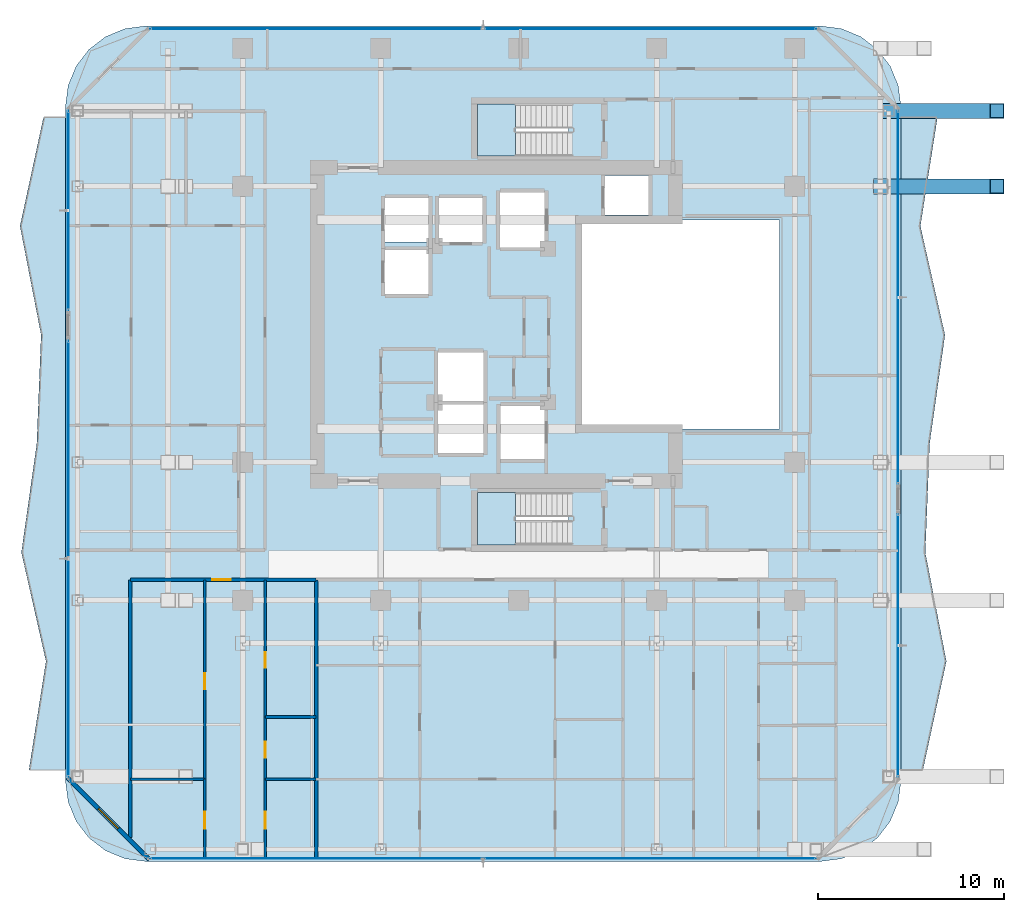
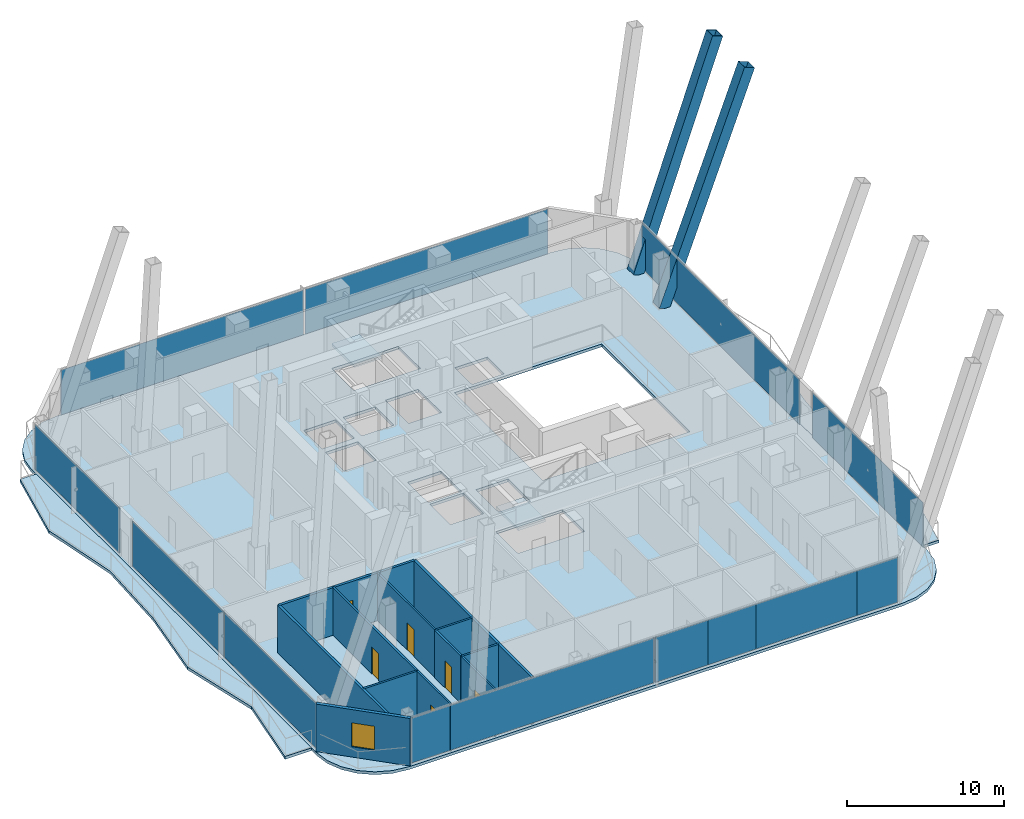
# One storey, part 19 of 27: 13 plates, 12 walls, 6 doors, 5 slabs, 2 members, 1 window, 7 openings, 8 elements without a shape of their own.
"""IFC4 building model written with IfcOpenShell, lengths in metres."""

from ifc_helpers import new_model, si_unit, direction, frame, frame_2d, origin, origin_2d, place, context, subcontext, project, spatial, polyline, rectangle, hollow_rectangle, outline, extrude, material, layer, layer_set, material_profile, profile_set, type_object, element, fill, aggregate, save


model = new_model("IFC4")

# Units and contexts
model_context = context("Model", 3, precision=1e-05, world=origin(), true_north=direction((0.0, 1.0)))
body_context = subcontext(model_context, "Body", "Model", "MODEL_VIEW")
ifc_project = project(units=[si_unit("LENGTHUNIT", "METRE"), si_unit("AREAUNIT", "SQUARE_METRE"), si_unit("VOLUMEUNIT", "CUBIC_METRE"), si_unit("PLANEANGLEUNIT", "RADIAN"), si_unit("MASSUNIT", "GRAM", prefix="KILO")], contexts=[model_context])

# Site, building, storey
site_placement = place(None, origin())
site = spatial("IfcSite", under=ifc_project, at=site_placement, CompositionType="ELEMENT")
building_placement = place(site_placement, origin())
building = spatial("IfcBuilding", under=site, at=building_placement, Name="Khorvyn Point Tower", CompositionType="ELEMENT")
storey_placement = place(building_placement, frame((0.0, 0.0, 203.10009765625)))
storey = spatial("IfcBuildingStorey", under=building, at=storey_placement, Name="L50", CompositionType="ELEMENT", Elevation=203.10009765625)

# Members
ifc_material_1 = material(Name="Steel S450", Category="steel")
ifc_material_profile = material_profile(ifc_material_1, hollow_rectangle(XDim=0.800048828125, YDim=0.800048828125, WallThickness=0.035888671875, at=origin_2d()))
ifc_profile_set = profile_set([ifc_material_profile], Name="Steel S450 BOX800x800x36")
member_type = type_object("IfcMemberType", Name="Steel S450 Exoskeleton Structural Post BOX800x800x36", PredefinedType="POST", material=ifc_profile_set)
member_1_placement = place(storey_placement, frame((19.85009765625, 11.449951171875, 0.0), z_axis=(0.331613602949, 0.0, 0.943415294735), x_axis=(0.0, 1.0, 0.0)))
element("IfcMember", 1, at=member_1_placement, inside=storey, type_object=member_type, Name="L50 to L54 Exoskeleton Transfer Post 07", PredefinedType="POST", context=body_context, shape_type="SweptSolid", body=[
    extrude(hollow_rectangle(XDim=0.800048828125, YDim=0.800048828125, WallThickness=0.035888671875, at=origin_2d()), origin(), (0.0, 0.0, 1.0), 17.48974609375),
])
member_2_placement = place(storey_placement, frame((19.39990234375, 7.39990234375, 0.0), z_axis=(0.35422706261, 0.0, 0.93515944529), x_axis=(0.0, 1.0, 0.0)))
element("IfcMember", 2, at=member_2_placement, inside=storey, type_object=member_type, Name="L50 to L54 Exoskeleton Transfer Post 14", PredefinedType="POST", context=body_context, shape_type="SweptSolid", body=[
    extrude(hollow_rectangle(XDim=0.800048828125, YDim=0.800048828125, WallThickness=0.035888671875, at=origin_2d()), origin(), (0.0, 0.0, 1.0), 17.64404296875),
])

# Slabs
ifc_material_2 = material(Name="Concrete C35/45", Category="concrete")
ifc_layer_1 = layer(ifc_material_2, 0.219970703125)
ifc_layer_set_1 = layer_set([ifc_layer_1], Name="Concrete C35/45 Structural Floor Slab 220")
slab_type_1 = type_object("IfcSlabType", Name="Concrete C35/45 Structural Floor Slab 220", PredefinedType="FLOOR", material=ifc_layer_set_1)
slab_1_placement = place(storey_placement, frame((0.0, 0.0, -0.22021484375)))
element("IfcSlab", 3, at=slab_1_placement, inside=storey, type_object=slab_type_1, Name="L50 Main Structural Floor Slab", PredefinedType="FLOOR", context=body_context, shape_type="SweptSolid", body=[
    extrude(outline(polyline([(-20.0, -28.800048828125), (-21.11279296875, -28.653564453125), (-22.14990234375, -28.223876953125), (-23.04052734375, -27.54052734375), (-23.723876953125, -26.64990234375), (-24.153564453125, -25.61279296875), (-24.300048828125, -24.5), (-24.300048828125, 11.699951171875), (-24.153564453125, 12.81298828125), (-23.723876953125, 13.85009765625), (-23.04052734375, 14.740478515625), (-22.14990234375, 15.423828125), (-21.11279296875, 15.853515625), (-20.0, 16.0), (16.199951171875, 16.0), (17.31298828125, 15.853515625), (18.35009765625, 15.423828125), (19.240478515625, 14.740478515625), (19.923828125, 13.85009765625), (20.353515625, 12.81298828125), (20.5, 11.699951171875), (20.5, -24.5), (20.353515625, -25.61279296875), (19.923828125, -26.64990234375), (19.240478515625, -27.54052734375), (18.35009765625, -28.223876953125), (17.31298828125, -28.653564453125), (16.199951171875, -28.800048828125), (-20.0, -28.800048828125)]), holes=[polyline([(-1.875, -6.89990234375), (-1.875, -4.300048828125), (-4.324951171875, -4.300048828125), (-4.324951171875, -6.89990234375), (-1.875, -6.89990234375)]), polyline([(-1.875, -4.10009765625), (-1.875, -1.5), (-4.324951171875, -1.5), (-4.324951171875, -4.10009765625), (-1.875, -4.10009765625)]), polyline([(-4.824951171875, 1.625), (-4.824951171875, 3.97509765625), (-7.175048828125, 3.97509765625), (-7.175048828125, 1.625), (-4.824951171875, 1.625)]), polyline([(-7.175048828125, 4.425048828125), (-4.824951171875, 4.425048828125), (-4.824951171875, 6.77490234375), (-7.175048828125, 6.77490234375), (-7.175048828125, 4.425048828125)]), polyline([(-4.27490234375, 4.425048828125), (-1.925048828125, 4.425048828125), (-1.925048828125, 6.77490234375), (-4.27490234375, 6.77490234375), (-4.27490234375, 4.425048828125)]), polyline([(1.39990234375, 4.125), (1.39990234375, 7.074951171875), (-1.0, 7.074951171875), (-1.0, 4.125), (1.39990234375, 4.125)]), polyline([(-2.199951171875, -11.820068359375), (2.679931640625, -11.820068359375), (2.679931640625, -9.02001953125), (-2.199951171875, -9.02001953125), (-2.199951171875, -11.820068359375)]), polyline([(-0.97509765625, -7.22509765625), (1.375, -7.22509765625), (1.375, -4.375), (-0.97509765625, -4.375), (-0.97509765625, -7.22509765625)]), polyline([(14.0, -5.60009765625), (14.0, 5.60009765625), (3.199951171875, 5.60009765625), (3.199951171875, -5.60009765625), (14.0, -5.60009765625)]), polyline([(4.625, 5.85009765625), (6.97509765625, 5.85009765625), (6.97509765625, 7.97998046875), (4.625, 7.97998046875), (4.625, 5.85009765625)]), polyline([(-2.199951171875, 9.02001953125), (2.679931640625, 9.02001953125), (2.679931640625, 11.820068359375), (-2.199951171875, 11.820068359375), (-2.199951171875, 9.02001953125)])]), origin(), (0.0, 0.0, 1.0), 0.22021484375),
])
ifc_material_3 = material(Name="Concrete C40/50", Category="concrete")
ifc_layer_2 = layer(ifc_material_3, 0.2099609375)
ifc_layer_set_2 = layer_set([ifc_layer_2], Name="Concrete C40/50 Rippling Balcony Slab 210")
slab_type_2 = type_object("IfcSlabType", Name="Concrete C40/50 Rippling Balcony Slab 210", PredefinedType="USERDEFINED", material=ifc_layer_set_2)
slab_2_placement = place(storey_placement, frame((0.0, 0.0, -0.210205078125)))
element("IfcSlab", 4, at=slab_2_placement, inside=storey, type_object=slab_type_2, Name="L50 East Sinusoidal Rippling Balcony", ObjectType="BALCONY", PredefinedType="USERDEFINED", context=body_context, shape_type="SweptSolid", body=[
    extrude(outline(polyline([(20.5, -23.89990234375), (21.6787109375, -23.89990234375), (22.9375, -18.066650390625), (21.806884765625, -12.2333984375), (22.0390625, -6.39990234375), (22.863525390625, -0.566650390625), (21.544189453125, 5.2666015625), (22.45947265625, 11.10009765625), (20.5, 11.10009765625), (20.5, -23.89990234375)])), origin(), (0.0, 0.0, 1.0), 0.210205078125),
])
slab_3_placement = place(storey_placement, frame((0.0, 0.0, -0.210205078125)))
element("IfcSlab", 5, at=slab_3_placement, inside=storey, type_object=slab_type_2, Name="L50 West Sinusoidal Rippling Balcony", ObjectType="BALCONY", PredefinedType="USERDEFINED", context=body_context, shape_type="SweptSolid", body=[
    extrude(outline(polyline([(-24.300048828125, 11.10009765625), (-25.478759765625, 11.10009765625), (-26.737548828125, 5.2666015625), (-25.60693359375, -0.566650390625), (-25.839111328125, -6.39990234375), (-26.66357421875, -12.2333984375), (-25.343994140625, -18.066650390625), (-26.259521484375, -23.89990234375), (-24.300048828125, -23.89990234375), (-24.300048828125, 11.10009765625)])), origin(), (0.0, 0.0, 1.0), 0.210205078125),
])

# Stair, slab
stair_type = type_object("IfcStairType", Name="Tower Concrete C40/50 Dogleg Exit Stair", PredefinedType="HALF_TURN_STAIR", material=ifc_material_3)
stair_1_placement = place(storey_placement, origin())
stair_1 = element("IfcStair", 6, at=stair_1_placement, inside=storey, type_object=stair_type, Name="L50 Tower Smokeproof Exit Stair South", PredefinedType="HALF_TURN_STAIR")
ifc_layer_3 = layer(ifc_material_3, 0.199951171875)
ifc_layer_set_3 = layer_set([ifc_layer_3], Name="Concrete C40/50 Stair Landing Slab 200")
slab_type_3 = type_object("IfcSlabType", Name="Concrete C40/50 Stair Landing Slab 200", PredefinedType="LANDING", material=ifc_layer_set_3)
slab_4_placement = place(storey_placement, frame((0.0, 0.0, 1.75)))
slab_4 = element("IfcSlab", 7, at=slab_4_placement, type_object=slab_type_3, Name="ST-01 landing 1", PredefinedType="LANDING", context=body_context, shape_type="SweptSolid", body=[
    extrude(outline(polyline([(-0.179931640625, -9.02001953125), (-2.199951171875, -9.02001953125), (-2.199951171875, -11.820068359375), (-0.179931640625, -11.820068359375), (-0.179931640625, -9.02001953125)])), origin(), (0.0, 0.0, 1.0), 0.199951171875),
])
aggregate(stair_1, [slab_4])

stair_2_placement = place(storey_placement, origin())
stair_2 = element("IfcStair", 8, at=stair_2_placement, inside=storey, type_object=stair_type, Name="L50 Tower Smokeproof Exit Stair North", PredefinedType="HALF_TURN_STAIR")
slab_5_placement = place(storey_placement, frame((0.0, 0.0, 1.75)))
slab_5 = element("IfcSlab", 9, at=slab_5_placement, type_object=slab_type_3, Name="ST-02 landing 1", PredefinedType="LANDING", context=body_context, shape_type="SweptSolid", body=[
    extrude(outline(polyline([(-0.179931640625, 11.820068359375), (-2.199951171875, 11.820068359375), (-2.199951171875, 9.02001953125), (-0.179931640625, 9.02001953125), (-0.179931640625, 11.820068359375)])), origin(), (0.0, 0.0, 1.0), 0.199951171875),
])
aggregate(stair_2, [slab_5])

# Curtain wall, plates
ifc_material_4 = material(Name="Anodised aluminium 6063-T6 and laminated Low-E glass", Category="aluminium")
ifc_layer_4 = layer(ifc_material_4, 0.18994140625)
ifc_layer_set_4 = layer_set([ifc_layer_4], Name="Stick-Built Acoustic Curtain Wall CW-SYS-03")
curtain_wall_type = type_object("IfcCurtainWallType", Name="Stick-Built Acoustic Curtain Wall CW-SYS-03", PredefinedType="NOTDEFINED", material=ifc_layer_set_4)
curtain_wall_1_placement = place(storey_placement, origin())
curtain_wall_1 = element("IfcCurtainWall", 10, at=curtain_wall_1_placement, inside=storey, type_object=curtain_wall_type, Name="Curtain Wall", PredefinedType="NOTDEFINED")
ifc_material_5 = material(Name="Laminated Low-E insulated glass", Category="glass")
ifc_layer_5 = layer(ifc_material_5, 0.028076171875)
ifc_layer_set_5 = layer_set([ifc_layer_5], Name="Tempered Low-E Vision Glazing Panel CW-GL28")
plate_type = type_object("IfcPlateType", Name="Tempered Low-E Vision Glazing Panel CW-GL28", PredefinedType="CURTAIN_PANEL", material=ifc_layer_set_5)
plate_1_placement = place(storey_placement, frame((0.08251953125, -28.64990234375, 0.099853515625), z_axis=(0.0, 0.0, 1.0), x_axis=(-1.0, 0.0, 0.0)))
plate_1 = element("IfcPlate", 11, at=plate_1_placement, type_object=plate_type, Name="Panel", PredefinedType="CURTAIN_PANEL", context=body_context, shape_type="SweptSolid", body=[
    extrude(rectangle(XDim=3.85693359375, YDim=0.028076171875, at=origin_2d()), origin(), (0.0, 0.0, 1.0), 3.47998046875),
])
plate_2_placement = place(storey_placement, frame((3.777099609375, -28.64990234375, 0.099853515625), z_axis=(0.0, 0.0, 1.0), x_axis=(-1.0, 0.0, 0.0)))
plate_2 = element("IfcPlate", 12, at=plate_2_placement, type_object=plate_type, Name="Panel", PredefinedType="CURTAIN_PANEL", context=body_context, shape_type="SweptSolid", body=[
    extrude(rectangle(XDim=3.51611328125, YDim=0.028076171875, at=origin_2d()), origin(), (0.0, 0.0, 1.0), 3.47998046875),
])
plate_3_placement = place(storey_placement, frame((9.232421875, -28.64990234375, 0.099853515625), z_axis=(0.0, 0.0, 1.0), x_axis=(-1.0, 0.0, 0.0)))
plate_3 = element("IfcPlate", 13, at=plate_3_placement, type_object=plate_type, Name="Panel", PredefinedType="CURTAIN_PANEL", context=body_context, shape_type="SweptSolid", body=[
    extrude(rectangle(XDim=7.37890625, YDim=0.028076171875, at=origin_2d()), origin(), (0.0, 0.0, 1.0), 3.47998046875),
])
plate_4_placement = place(storey_placement, frame((14.43798828125, -28.64990234375, 0.099853515625), z_axis=(0.0, 0.0, 1.0), x_axis=(-1.0, 0.0, 0.0)))
plate_4 = element("IfcPlate", 14, at=plate_4_placement, type_object=plate_type, Name="Panel", PredefinedType="CURTAIN_PANEL", context=body_context, shape_type="SweptSolid", body=[
    extrude(rectangle(XDim=3.01611328125, YDim=0.028076171875, at=origin_2d()), origin(), (0.0, 0.0, 1.0), 3.47998046875),
])
plate_5_placement = place(storey_placement, frame((-18.322021484375, -28.64990234375, 0.099853515625), z_axis=(0.0, 0.0, 1.0), x_axis=(-1.0, 0.0, 0.0)))
plate_5 = element("IfcPlate", 15, at=plate_5_placement, type_object=plate_type, Name="Panel", PredefinedType="CURTAIN_PANEL", context=body_context, shape_type="SweptSolid", body=[
    extrude(rectangle(XDim=2.847900390625, YDim=0.028076171875, at=origin_2d()), origin(), (0.0, 0.0, 1.0), 3.47998046875),
])
plate_6_placement = place(storey_placement, frame((-9.422119140625, -28.64990234375, 0.099853515625), z_axis=(0.0, 0.0, 1.0), x_axis=(-1.0, 0.0, 0.0)))
plate_6 = element("IfcPlate", 16, at=plate_6_placement, type_object=plate_type, Name="Panel", PredefinedType="CURTAIN_PANEL", context=body_context, shape_type="SweptSolid", body=[
    extrude(rectangle(XDim=14.93603515625, YDim=0.028076171875, at=origin_2d()), origin(), (0.0, 0.0, 1.0), 3.47998046875),
])
aggregate(curtain_wall_1, [plate_1, plate_2, plate_3, plate_4, plate_5, plate_6])

curtain_wall_2_placement = place(storey_placement, origin())
curtain_wall_2 = element("IfcCurtainWall", 17, at=curtain_wall_2_placement, inside=storey, type_object=curtain_wall_type, Name="Curtain Wall", PredefinedType="NOTDEFINED")
plate_7_placement = place(storey_placement, frame((-10.85009765625, 15.85009765625, 0.099853515625), z_axis=(0.0, 0.0, 1.0), x_axis=(1.0, 0.0, 0.0)))
plate_7 = element("IfcPlate", 18, at=plate_7_placement, type_object=plate_type, Name="Panel", PredefinedType="CURTAIN_PANEL", context=body_context, shape_type="SweptSolid", body=[
    extrude(rectangle(XDim=17.800048828125, YDim=0.028076171875, at=origin_2d()), origin(), (0.0, 0.0, 1.0), 3.47998046875),
])
plate_8_placement = place(storey_placement, frame((7.050048828125, 15.85009765625, 0.099853515625), z_axis=(0.0, 0.0, 1.0), x_axis=(1.0, 0.0, 0.0)))
plate_8 = element("IfcPlate", 19, at=plate_8_placement, type_object=plate_type, Name="Panel", PredefinedType="CURTAIN_PANEL", context=body_context, shape_type="SweptSolid", body=[
    extrude(rectangle(XDim=17.800048828125, YDim=0.028076171875, at=origin_2d()), origin(), (0.0, 0.0, 1.0), 3.47998046875),
])
aggregate(curtain_wall_2, [plate_7, plate_8])

curtain_wall_3_placement = place(storey_placement, origin())
curtain_wall_3 = element("IfcCurtainWall", 20, at=curtain_wall_3_placement, inside=storey, type_object=curtain_wall_type, Name="Curtain Wall", PredefinedType="NOTDEFINED")
plate_9_placement = place(storey_placement, frame((-24.14990234375, -18.433349609375, 0.099853515625), z_axis=(0.0, 0.0, 1.0), x_axis=(0.0, 1.0, 0.0)))
plate_9 = element("IfcPlate", 21, at=plate_9_placement, type_object=plate_type, Name="Panel", PredefinedType="CURTAIN_PANEL", context=body_context, shape_type="SweptSolid", body=[
    extrude(rectangle(XDim=11.633544921875, YDim=0.028076171875, at=origin_2d()), origin(), (0.0, 0.0, 1.0), 3.47998046875),
])
plate_10_placement = place(storey_placement, frame((-24.14990234375, -6.69970703125, 0.099853515625), z_axis=(0.0, 0.0, 1.0), x_axis=(0.0, 1.0, 0.0)))
plate_10 = element("IfcPlate", 22, at=plate_10_placement, type_object=plate_type, Name="Panel", PredefinedType="CURTAIN_PANEL", context=body_context, shape_type="SweptSolid", body=[
    extrude(rectangle(XDim=11.633544921875, YDim=0.028076171875, at=origin_2d()), origin(), (0.0, 0.0, 1.0), 3.47998046875),
])
aggregate(curtain_wall_3, [plate_9, plate_10])

# Curtain wall, plate
curtain_wall_4_placement = place(storey_placement, origin())
curtain_wall_4 = element("IfcCurtainWall", 23, at=curtain_wall_4_placement, inside=storey, type_object=curtain_wall_type, Name="Curtain Wall", PredefinedType="NOTDEFINED")
plate_11_placement = place(storey_placement, frame((-24.14990234375, 6.103515625, 0.099853515625), z_axis=(0.0, 0.0, 1.0), x_axis=(0.0, 1.0, 0.0)))
plate_11 = element("IfcPlate", 24, at=plate_11_placement, type_object=plate_type, Name="Panel", PredefinedType="CURTAIN_PANEL", context=body_context, shape_type="SweptSolid", body=[
    extrude(rectangle(XDim=10.693115234375, YDim=0.028076171875, at=origin_2d()), origin(), (0.0, 0.0, 1.0), 3.47998046875),
])
aggregate(curtain_wall_4, [plate_11])

curtain_wall_5_placement = place(storey_placement, origin())
curtain_wall_5 = element("IfcCurtainWall", 25, at=curtain_wall_5_placement, inside=storey, type_object=curtain_wall_type, Name="Curtain Wall", PredefinedType="NOTDEFINED")
plate_12_placement = place(storey_placement, frame((20.35009765625, 1.451416015625, 0.099853515625), z_axis=(0.0, 0.0, 1.0), x_axis=(0.0, -1.0, 0.0)))
plate_12 = element("IfcPlate", 26, at=plate_12_placement, type_object=plate_type, Name="Panel", PredefinedType="CURTAIN_PANEL", context=body_context, shape_type="SweptSolid", body=[
    extrude(rectangle(XDim=19.9970703125, YDim=0.028076171875, at=origin_2d()), origin(), (0.0, 0.0, 1.0), 3.47998046875),
])
aggregate(curtain_wall_5, [plate_12])

curtain_wall_6_placement = place(storey_placement, origin())
curtain_wall_6 = element("IfcCurtainWall", 27, at=curtain_wall_6_placement, inside=storey, type_object=curtain_wall_type, Name="Curtain Wall", PredefinedType="NOTDEFINED")
plate_13_placement = place(storey_placement, frame((20.35009765625, -17.218505859375, 0.099853515625), z_axis=(0.0, 0.0, 1.0), x_axis=(0.0, -1.0, 0.0)))
plate_13 = element("IfcPlate", 28, at=plate_13_placement, type_object=plate_type, Name="Panel", PredefinedType="CURTAIN_PANEL", context=body_context, shape_type="SweptSolid", body=[
    extrude(rectangle(XDim=14.06298828125, YDim=0.028076171875, at=origin_2d()), origin(), (0.0, 0.0, 1.0), 3.47998046875),
])
aggregate(curtain_wall_6, [plate_13])

# Wall, opening, door
ifc_material_6 = material(Name="Double acoustic gypsum on twin steel stud", Category="steel")
ifc_layer_6 = layer(ifc_material_6, 0.179931640625)
ifc_layer_set_6 = layer_set([ifc_layer_6], Name="Acoustic Double-Stud Apartment Demising Wall 180")
wall_type_1 = type_object("IfcWallType", Name="Acoustic Double-Stud Apartment Demising Wall 180", PredefinedType="PARTITIONING", material=ifc_layer_set_6)
wall_1_placement = place(storey_placement, frame((-20.820068359375, -13.699951171875, 0.0), z_axis=(0.0, 0.0, 1.0), x_axis=(1.0, 0.0, 0.0)))
wall_1 = element("IfcWall", 29, at=wall_1_placement, inside=storey, type_object=wall_type_1, Name="Wall", PredefinedType="PARTITIONING", context=body_context, shape_type="SweptSolid", body=[
    extrude(rectangle(XDim=9.965087890625, YDim=0.179931640625, at=frame_2d((4.982421875, 0.0))), origin(), (0.0, 0.0, 1.0), 3.679931640625),
])
opening_1_placement = place(wall_1_placement, frame((4.394287109375, 0.0, 0.0)))
opening_1 = element("IfcOpeningElement", 30, at=opening_1_placement, cuts=wall_1, Name="Opening ID-AP60", PredefinedType="OPENING", context=body_context, shape_type="SweptSolid", body=[
    extrude(rectangle(XDim=1.0, YDim=2.199951171875, at=frame_2d((0.5, 1.10009765625))), frame((0.0, 0.099853515625, 0.0), z_axis=(0.0, -1.0, 0.0), x_axis=(1.0, 0.0, 0.0)), (0.0, 0.0, 1.0), 0.199951171875),
])
ifc_material_7 = material(Name="Engineered hardwood fire-rated leaf", Category="wood")
door_type_1 = type_object("IfcDoorType", Name="Acoustic Solid-Core Timber Apartment Entrance Door 1000x2200", OperationType="NOTDEFINED", PredefinedType="DOOR", material=ifc_material_7)
door_1_placement = place(opening_1_placement, origin())
door_1 = element("IfcDoor", 31, at=door_1_placement, inside=storey, type_object=door_type_1, Name="Door", OperationType="SINGLE_SWING_RIGHT", OverallHeight=2.199951171875, OverallWidth=1.0, PredefinedType="DOOR", context=body_context, shape_type="SweptSolid", body=[
    extrude(rectangle(XDim=1.0, YDim=2.199951171875, at=frame_2d((0.5, 1.10009765625))), frame((0.0, 0.02490234375, 0.0), z_axis=(0.0, -1.0, 0.0), x_axis=(1.0, 0.0, 0.0)), (0.0, 0.0, 1.0), 0.050048828125),
])
fill(opening_1, door_1)

# Walls
wall_2_placement = place(storey_placement, frame((-10.85498046875, -28.6298828125, 0.0), z_axis=(0.0, 0.0, 1.0), x_axis=(0.0, 1.0, 0.0)))
element("IfcWall", 32, at=wall_2_placement, inside=storey, type_object=wall_type_1, Name="Wall", PredefinedType="PARTITIONING", context=body_context, shape_type="SweptSolid", body=[
    extrude(rectangle(XDim=14.929931640625, YDim=0.179931640625, at=frame_2d((7.46484375, 0.0))), origin(), (0.0, 0.0, 1.0), 3.679931640625),
])
wall_3_placement = place(storey_placement, frame((-20.820068359375, -27.510009765625, 0.0), z_axis=(0.0, 0.0, 1.0), x_axis=(0.0, 1.0, 0.0)))
element("IfcWall", 33, at=wall_3_placement, inside=storey, type_object=wall_type_1, Name="Wall", PredefinedType="PARTITIONING", context=body_context, shape_type="SweptSolid", body=[
    extrude(rectangle(XDim=13.81005859375, YDim=0.179931640625, at=frame_2d((6.905029296875, 0.0))), origin(), (0.0, 0.0, 1.0), 3.679931640625),
])

# Wall, opening, window
ifc_material_8 = material(Name="Pale anodised aluminium rainscreen on steel stud", Category="steel")
ifc_layer_7 = layer(ifc_material_8, 0.239990234375)
ifc_layer_set_7 = layer_set([ifc_layer_7], Name="Anodised Aluminium Insulated Corner Spandrel Wall 240")
wall_type_2 = type_object("IfcWallType", Name="Anodised Aluminium Insulated Corner Spandrel Wall 240", PredefinedType="SOLIDWALL", material=ifc_layer_set_7)
wall_4_placement = place(storey_placement, frame((-19.8076171875, -28.6923828125, 0.0), z_axis=(0.0, 0.0, 1.0), x_axis=(-0.707106781187, 0.707106781187, 0.0)))
wall_4 = element("IfcWall", 34, at=wall_4_placement, inside=storey, type_object=wall_type_2, Name="L50 Rounded Corner Wall SW", PredefinedType="SOLIDWALL", context=body_context, shape_type="SweptSolid", body=[
    extrude(rectangle(XDim=6.200927734375, YDim=0.239990234375, at=frame_2d((3.1005859375, 0.0))), origin(), (0.0, 0.0, 1.0), 3.679931640625),
])
opening_2_placement = place(wall_4_placement, frame((2.3505859375, 0.0, 0.800048828125)))
opening_2 = element("IfcOpeningElement", 35, at=opening_2_placement, cuts=wall_4, Name="Opening WN-1518", PredefinedType="OPENING", context=body_context, shape_type="SweptSolid", body=[
    extrude(rectangle(XDim=1.5, YDim=1.85009765625, at=frame_2d((0.75, 0.925048828125))), frame((0.0, 0.1298828125, 0.0), z_axis=(0.0, -1.0, 0.0), x_axis=(1.0, 0.0, 0.0)), (0.0, 0.0, 1.0), 0.260009765625),
])
window_type = type_object("IfcWindowType", Name="Anodised Aluminium Rounded-Corner Panoramic Window 1500x1850", PartitioningType="SINGLE_PANEL", PredefinedType="WINDOW", material=ifc_material_4)
window_placement = place(opening_2_placement, origin())
window = element("IfcWindow", 36, at=window_placement, inside=storey, type_object=window_type, Name="L50 Corner Panoramic Window SW", OverallHeight=1.85009765625, OverallWidth=1.5, PartitioningType="SINGLE_PANEL", PredefinedType="WINDOW", context=body_context, shape_type="SweptSolid", body=[
    extrude(rectangle(XDim=1.5, YDim=1.85009765625, at=frame_2d((0.75, 0.925048828125))), frame((0.0, 0.030029296875, 0.0), z_axis=(0.0, -1.0, 0.0), x_axis=(1.0, 0.0, 0.0)), (0.0, 0.0, 1.0), 0.06005859375),
])
fill(opening_2, window)

# Wall, opening, door
ifc_material_9 = material(Name="Gypsum plasterboard on steel stud", Category="steel")
ifc_layer_8 = layer(ifc_material_9, 0.1201171875)
ifc_layer_set_8 = layer_set([ifc_layer_8], Name="Gypsum Acoustic Stud Room Partition Wall 120")
wall_type_3 = type_object("IfcWallType", Name="Gypsum Acoustic Stud Room Partition Wall 120", PredefinedType="PARTITIONING", material=ifc_layer_set_8)
wall_5_placement = place(storey_placement, frame((-16.833984375, -28.6298828125, 0.0), z_axis=(0.0, 0.0, 1.0), x_axis=(0.0, 1.0, 0.0)))
wall_5 = element("IfcWall", 37, at=wall_5_placement, inside=storey, type_object=wall_type_3, Name="Wall", PredefinedType="PARTITIONING", context=body_context, shape_type="SweptSolid", body=[
    extrude(rectangle(XDim=4.239990234375, YDim=0.1201171875, at=frame_2d((2.1201171875, 0.0))), origin(), (0.0, 0.0, 1.0), 3.679931640625),
])
opening_3_placement = place(wall_5_placement, frame((1.581298828125, 0.0, 0.0)))
opening_3 = element("IfcOpeningElement", 38, at=opening_3_placement, cuts=wall_5, Name="Opening ID-RM90", PredefinedType="OPENING", context=body_context, shape_type="SweptSolid", body=[
    extrude(rectangle(XDim=0.89990234375, YDim=2.10009765625, at=frame_2d((0.449951171875, 1.050048828125))), frame((0.0, 0.070068359375, 0.0), z_axis=(0.0, -1.0, 0.0), x_axis=(1.0, 0.0, 0.0)), (0.0, 0.0, 1.0), 0.14013671875),
])
ifc_material_10 = material(Name="Engineered oak veneer timber", Category="wood")
door_type_2 = type_object("IfcDoorType", Name="Flush Engineered Timber Room Door 900x2100", OperationType="NOTDEFINED", PredefinedType="DOOR", material=ifc_material_10)
door_2_placement = place(opening_3_placement, origin())
door_2 = element("IfcDoor", 39, at=door_2_placement, inside=storey, type_object=door_type_2, Name="Door", OperationType="SINGLE_SWING_RIGHT", OverallHeight=2.10009765625, OverallWidth=0.89990234375, PredefinedType="DOOR", context=body_context, shape_type="SweptSolid", body=[
    extrude(rectangle(XDim=0.89990234375, YDim=2.10009765625, at=frame_2d((0.449951171875, 1.050048828125))), frame((0.0, 0.02490234375, 0.0), z_axis=(0.0, -1.0, 0.0), x_axis=(1.0, 0.0, 0.0)), (0.0, 0.0, 1.0), 0.050048828125),
])
fill(opening_3, door_2)

wall_6_placement = place(storey_placement, frame((-13.583984375, -21.054931640625, 0.0), z_axis=(0.0, 0.0, 1.0), x_axis=(0.0, 1.0, 0.0)))
wall_6 = element("IfcWall", 40, at=wall_6_placement, inside=storey, type_object=wall_type_3, Name="Wall", PredefinedType="PARTITIONING", context=body_context, shape_type="SweptSolid", body=[
    extrude(rectangle(XDim=7.35498046875, YDim=0.1201171875, at=frame_2d((3.677490234375, 0.0))), origin(), (0.0, 0.0, 1.0), 3.679931640625),
])
opening_4_placement = place(wall_6_placement, frame((2.634033203125, 0.0, 0.0)))
opening_4 = element("IfcOpeningElement", 41, at=opening_4_placement, cuts=wall_6, Name="Opening ID-WC85", PredefinedType="OPENING", context=body_context, shape_type="SweptSolid", body=[
    extrude(rectangle(XDim=0.85009765625, YDim=2.10009765625, at=frame_2d((0.425048828125, 1.050048828125))), frame((0.0, 0.070068359375, 0.0), z_axis=(0.0, -1.0, 0.0), x_axis=(1.0, 0.0, 0.0)), (0.0, 0.0, 1.0), 0.14013671875),
])
ifc_material_11 = material(Name="High-pressure laminate on moisture-resistant core", Category="wood")
door_type_3 = type_object("IfcDoorType", Name="Moisture-Resistant Accessible Washroom Door 850x2100", OperationType="NOTDEFINED", PredefinedType="DOOR", material=ifc_material_11)
door_3_placement = place(opening_4_placement, origin())
door_3 = element("IfcDoor", 42, at=door_3_placement, inside=storey, type_object=door_type_3, Name="Door", OperationType="SINGLE_SWING_RIGHT", OverallHeight=2.10009765625, OverallWidth=0.85009765625, PredefinedType="DOOR", context=body_context, shape_type="SweptSolid", body=[
    extrude(rectangle(XDim=0.85009765625, YDim=2.10009765625, at=frame_2d((0.425048828125, 1.050048828125))), frame((0.0, 0.02490234375, 0.0), z_axis=(0.0, -1.0, 0.0), x_axis=(1.0, 0.0, 0.0)), (0.0, 0.0, 1.0), 0.050048828125),
])
fill(opening_4, door_3)

wall_7_placement = place(storey_placement, frame((-13.583984375, -28.6298828125, 0.0), z_axis=(0.0, 0.0, 1.0), x_axis=(0.0, 1.0, 0.0)))
wall_7 = element("IfcWall", 43, at=wall_7_placement, inside=storey, type_object=wall_type_3, Name="Wall", PredefinedType="PARTITIONING", context=body_context, shape_type="SweptSolid", body=[
    extrude(rectangle(XDim=4.239990234375, YDim=0.1201171875, at=frame_2d((2.1201171875, 0.0))), origin(), (0.0, 0.0, 1.0), 3.679931640625),
])
opening_5_placement = place(wall_7_placement, frame((1.581298828125, 0.0, 0.0)))
opening_5 = element("IfcOpeningElement", 44, at=opening_5_placement, cuts=wall_7, Name="Opening ID-RM90", PredefinedType="OPENING", context=body_context, shape_type="SweptSolid", body=[
    extrude(rectangle(XDim=0.89990234375, YDim=2.10009765625, at=frame_2d((0.449951171875, 1.050048828125))), frame((0.0, 0.070068359375, 0.0), z_axis=(0.0, -1.0, 0.0), x_axis=(1.0, 0.0, 0.0)), (0.0, 0.0, 1.0), 0.14013671875),
])
door_4_placement = place(opening_5_placement, origin())
door_4 = element("IfcDoor", 45, at=door_4_placement, inside=storey, type_object=door_type_2, Name="Door", OperationType="SINGLE_SWING_LEFT", OverallHeight=2.10009765625, OverallWidth=0.89990234375, PredefinedType="DOOR", context=body_context, shape_type="SweptSolid", body=[
    extrude(rectangle(XDim=0.89990234375, YDim=2.10009765625, at=frame_2d((0.449951171875, 1.050048828125))), frame((0.0, 0.02490234375, 0.0), z_axis=(0.0, -1.0, 0.0), x_axis=(1.0, 0.0, 0.0)), (0.0, 0.0, 1.0), 0.050048828125),
])
fill(opening_5, door_4)

ifc_material_12 = material(Name="Moisture-resistant gypsum and cement board", Category="gypsum")
ifc_layer_9 = layer(ifc_material_12, 0.14990234375)
ifc_layer_set_9 = layer_set([ifc_layer_9], Name="Moisture-Resistant Wet-Room Partition Wall 150")
wall_type_4 = type_object("IfcWallType", Name="Moisture-Resistant Wet-Room Partition Wall 150", PredefinedType="PARTITIONING", material=ifc_layer_set_9)
wall_8_placement = place(storey_placement, frame((-16.833984375, -24.389892578125, 0.0), z_axis=(0.0, 0.0, 1.0), x_axis=(0.0, 1.0, 0.0)))
wall_8 = element("IfcWall", 46, at=wall_8_placement, inside=storey, type_object=wall_type_4, Name="Wall", PredefinedType="PARTITIONING", context=body_context, shape_type="SweptSolid", body=[
    extrude(rectangle(XDim=10.68994140625, YDim=0.14990234375, at=frame_2d((5.344970703125, 0.0))), origin(), (0.0, 0.0, 1.0), 3.679931640625),
])
opening_6_placement = place(wall_8_placement, frame((4.830078125, 0.0, 0.0)))
opening_6 = element("IfcOpeningElement", 47, at=opening_6_placement, cuts=wall_8, Name="Opening ID-WC85", PredefinedType="OPENING", context=body_context, shape_type="SweptSolid", body=[
    extrude(rectangle(XDim=0.85009765625, YDim=2.10009765625, at=frame_2d((0.425048828125, 1.050048828125))), frame((0.0, 0.0849609375, 0.0), z_axis=(0.0, -1.0, 0.0), x_axis=(1.0, 0.0, 0.0)), (0.0, 0.0, 1.0), 0.169921875),
])
door_5_placement = place(opening_6_placement, origin())
door_5 = element("IfcDoor", 48, at=door_5_placement, inside=storey, type_object=door_type_3, Name="Door", OperationType="SINGLE_SWING_LEFT", OverallHeight=2.10009765625, OverallWidth=0.85009765625, PredefinedType="DOOR", context=body_context, shape_type="SweptSolid", body=[
    extrude(rectangle(XDim=0.85009765625, YDim=2.10009765625, at=frame_2d((0.425048828125, 1.050048828125))), frame((0.0, 0.02490234375, 0.0), z_axis=(0.0, -1.0, 0.0), x_axis=(1.0, 0.0, 0.0)), (0.0, 0.0, 1.0), 0.050048828125),
])
fill(opening_6, door_5)

wall_9_placement = place(storey_placement, frame((-13.583984375, -24.389892578125, 0.0), z_axis=(0.0, 0.0, 1.0), x_axis=(0.0, 1.0, 0.0)))
wall_9 = element("IfcWall", 49, at=wall_9_placement, inside=storey, type_object=wall_type_4, Name="Wall", PredefinedType="PARTITIONING", context=body_context, shape_type="SweptSolid", body=[
    extrude(rectangle(XDim=3.3349609375, YDim=0.14990234375, at=frame_2d((1.66748046875, 0.0))), origin(), (0.0, 0.0, 1.0), 3.679931640625),
])
opening_7_placement = place(wall_9_placement, frame((1.1591796875, 0.0, 0.0)))
opening_7 = element("IfcOpeningElement", 50, at=opening_7_placement, cuts=wall_9, Name="Opening ID-WC85", PredefinedType="OPENING", context=body_context, shape_type="SweptSolid", body=[
    extrude(rectangle(XDim=0.85009765625, YDim=2.10009765625, at=frame_2d((0.425048828125, 1.050048828125))), frame((0.0, 0.0849609375, 0.0), z_axis=(0.0, -1.0, 0.0), x_axis=(1.0, 0.0, 0.0)), (0.0, 0.0, 1.0), 0.169921875),
])
door_6_placement = place(opening_7_placement, origin())
door_6 = element("IfcDoor", 51, at=door_6_placement, inside=storey, type_object=door_type_3, Name="Door", OperationType="SINGLE_SWING_LEFT", OverallHeight=2.10009765625, OverallWidth=0.85009765625, PredefinedType="DOOR", context=body_context, shape_type="SweptSolid", body=[
    extrude(rectangle(XDim=0.85009765625, YDim=2.10009765625, at=frame_2d((0.425048828125, 1.050048828125))), frame((0.0, 0.02490234375, 0.0), z_axis=(0.0, -1.0, 0.0), x_axis=(1.0, 0.0, 0.0)), (0.0, 0.0, 1.0), 0.050048828125),
])
fill(opening_7, door_6)

# Walls
wall_10_placement = place(storey_placement, frame((-20.820068359375, -24.389892578125, 0.0), z_axis=(0.0, 0.0, 1.0), x_axis=(1.0, 0.0, 0.0)))
element("IfcWall", 52, at=wall_10_placement, inside=storey, type_object=wall_type_4, Name="Wall", PredefinedType="PARTITIONING", context=body_context, shape_type="SweptSolid", body=[
    extrude(rectangle(XDim=3.986083984375, YDim=0.14990234375, at=frame_2d((1.9931640625, 0.0))), origin(), (0.0, 0.0, 1.0), 3.679931640625),
])
for number, where, z_axis, x_axis, name in (
    (53, (-13.583984375, -21.054931640625, 0.0), (0.0, 0.0, 1.0), (1.0, 0.0, 0.0), "Wall"),
    (54, (-13.583984375, -24.389892578125, 0.0), (0.0, 0.0, 1.0), (1.0, 0.0, 0.0), "Wall"),
):
    element("IfcWall", number, at=place(storey_placement, frame(where, z_axis=z_axis, x_axis=x_axis)), inside=storey, type_object=wall_type_4, Name=name, PredefinedType="PARTITIONING", context=body_context, shape_type="SweptSolid", body=[
        extrude(rectangle(XDim=2.72900390625, YDim=0.14990234375, at=frame_2d((1.364501953125, 0.0))), origin(), (0.0, 0.0, 1.0), 3.679931640625),
    ])

save(model, "model.ifc")
